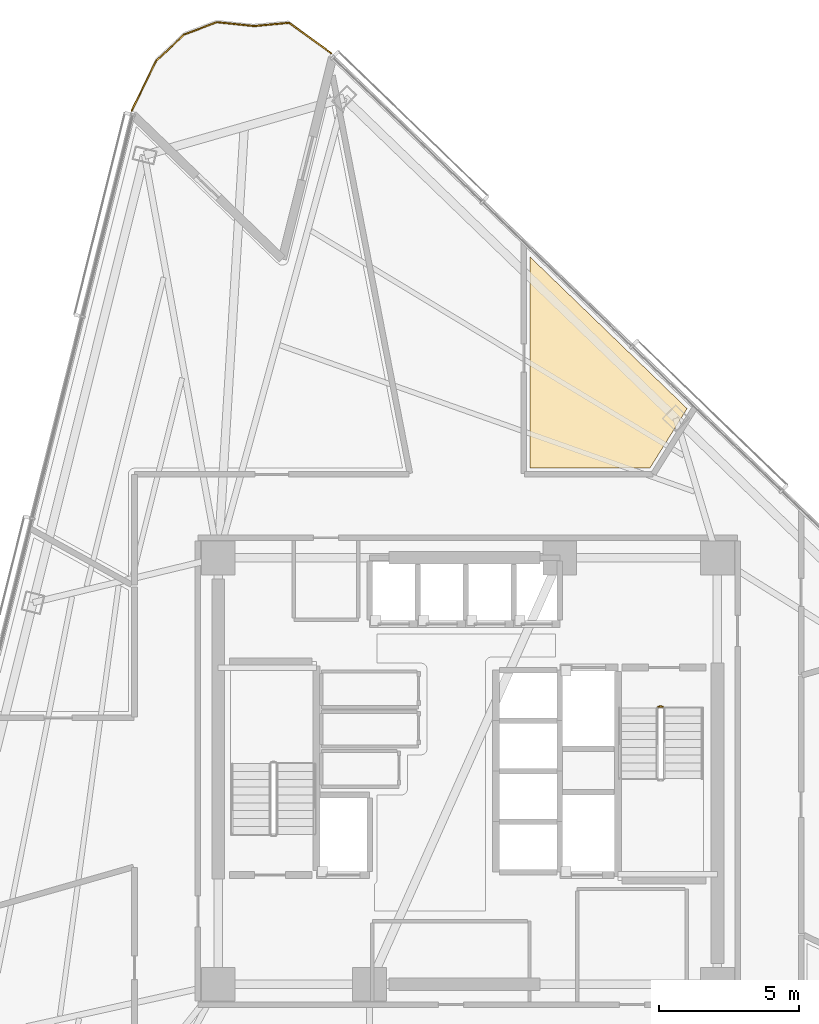
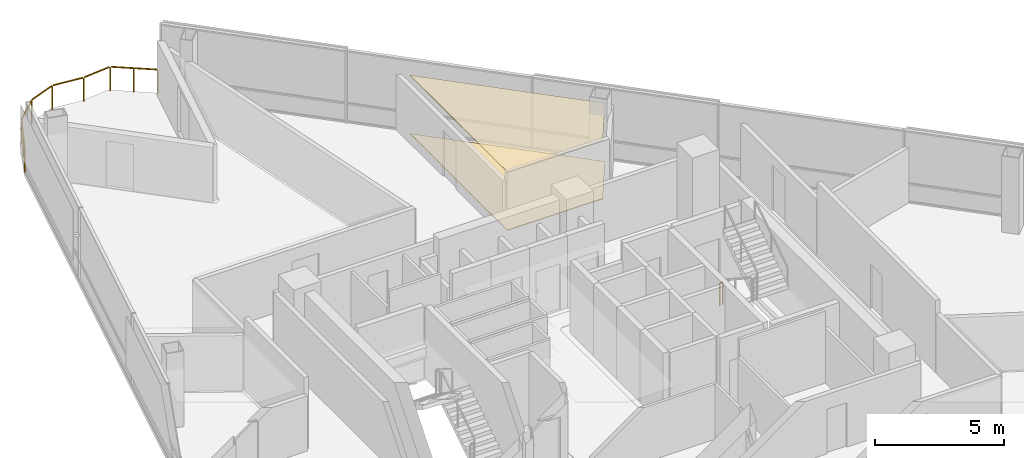
# One storey, part 17 of 17: 2 coverings, 2 railings.
"""IFC4 building model written with IfcOpenShell, lengths in metres."""

import ifcopenshell
import ifcopenshell.guid

model = None  # the IFC model being written
_history = None  # IfcOwnerHistory: only IFC2X3 demands one
_inside = {}  # id of a spatial element -> (the spatial element, [elements in it])
_under = {}  # id of a project, library or spatial element -> (it, [spatial elements below it])
_declared = {}  # id of a project -> (the project, [libraries it declares])
_typed = {}  # id of a type object -> (the type object, [elements of that type])
_made_of = {}  # id of a material, layer set ... -> (it, [elements and type objects made of it])


def new_model(schema):
    """Start an empty IFC model of exactly this schema.

    Asked for "IFC4X3", IfcOpenShell would pick the latest addendum, in which some entities
    have other attributes; the version numbers below select the first issue.
    IFC2X3 requires an IfcOwnerHistory on every rooted entity: one is made here for all.
    """
    global model, _history
    if schema == "IFC4X3":
        model = ifcopenshell.file(schema_version=(4, 3, 0, 0))
    else:
        model = ifcopenshell.file(schema=schema)
    _inside.clear()
    _under.clear()
    _declared.clear()
    _typed.clear()
    _made_of.clear()
    _history = None
    if model.schema == "IFC2X3":
        org = make("IfcOrganization", Name="unknown")
        user = make(
            "IfcPersonAndOrganization",
            ThePerson=make("IfcPerson", FamilyName="unknown"),
            TheOrganization=org,
        )
        app = make(
            "IfcApplication",
            ApplicationDeveloper=org,
            Version="unknown",
            ApplicationFullName="unknown",
            ApplicationIdentifier="unknown",
        )
        _history = make(
            "IfcOwnerHistory",
            OwningUser=user,
            OwningApplication=app,
            ChangeAction="ADDED",
            CreationDate=0,
        )
    return model


def make(cls, **values):
    """One entity of the class cls with the attributes given. An attribute that is None is left unset."""
    return model.create_entity(
        cls, **{name: value for name, value in values.items() if value is not None}
    )


def rooted(cls, **values):
    """An entity with a GlobalId (a new one), such as an element, a storey or a relation."""
    return make(cls, GlobalId=ifcopenshell.guid.new(), OwnerHistory=_history, **values)


def si_unit(unit_type, name, prefix=None):
    """IfcSIUnit, for example si_unit("LENGTHUNIT", "METRE", prefix="MILLI")."""
    return make("IfcSIUnit", UnitType=unit_type, Prefix=prefix, Name=name)


def assignment(units):
    """IfcUnitAssignment: the units of a project."""
    return None if units is None else make("IfcUnitAssignment", Units=units)


def point(xyz):
    """IfcCartesianPoint."""
    return None if xyz is None else make("IfcCartesianPoint", Coordinates=xyz)


def direction(xyz):
    """IfcDirection."""
    return None if xyz is None else make("IfcDirection", DirectionRatios=xyz)


def frame(location, z_axis=None, x_axis=None):
    """IfcAxis2Placement3D, a coordinate frame: its origin and axes. An axis left out is left unset."""
    return make(
        "IfcAxis2Placement3D",
        Location=point(location),
        Axis=direction(z_axis),
        RefDirection=direction(x_axis),
    )


def frame_2d(location, x_axis=None):
    """IfcAxis2Placement2D, a coordinate frame in the plane: its origin and x axis."""
    return make(
        "IfcAxis2Placement2D", Location=point(location), RefDirection=direction(x_axis)
    )


def origin():
    """The frame at (0, 0, 0) with its axes left unset."""
    return frame((0.0, 0.0, 0.0))


def origin_2d():
    """The frame at (0, 0) in the plane with its x axis left unset."""
    return frame_2d((0.0, 0.0))


def place(relative_to, where):
    """IfcLocalPlacement: puts the frame where relative to a parent placement (None: the world)."""
    return make(
        "IfcLocalPlacement", PlacementRelTo=relative_to, RelativePlacement=where
    )


def context(
    kind, dimensions, precision=None, world=None, true_north=None, identifier=None
):
    """IfcGeometricRepresentationContext, for example the 3D "Model" context."""
    return make(
        "IfcGeometricRepresentationContext",
        ContextIdentifier=identifier,
        ContextType=kind,
        CoordinateSpaceDimension=dimensions,
        Precision=precision,
        WorldCoordinateSystem=world,
        TrueNorth=true_north,
    )


def subcontext(parent, identifier, kind, view, scale=None):
    """IfcGeometricRepresentationSubContext, for example "Body" below "Model"."""
    return make(
        "IfcGeometricRepresentationSubContext",
        ContextIdentifier=identifier,
        ContextType=kind,
        ParentContext=parent,
        TargetScale=scale,
        TargetView=view,
    )


def project(units=None, contexts=None):
    """IfcProject with its units and contexts."""
    return rooted(
        "IfcProject",
        Name="project",
        RepresentationContexts=contexts,
        UnitsInContext=assignment(units),
    )


def spatial(cls, under=None, at=None, **own):
    """A site, building, storey or space (cls), placed at a placement, below another one or the project."""
    s = rooted(cls, ObjectPlacement=at, **own)
    if under is not None:
        _under.setdefault(under.id(), (under, []))[1].append(s)
    return s


def polyline(points):
    """IfcPolyline through the points."""
    return make("IfcPolyline", Points=[point(p) for p in points])


def profile(cls, at=None, kind="AREA", **sizes):
    """A parametric profile (cls). Its sizes go by their IFC names, for example OverallWidth=200.0."""
    return make(cls, ProfileType=kind, Position=at, **sizes)


def rectangle(**sizes):
    """IfcRectangleProfileDef."""
    return profile("IfcRectangleProfileDef", **sizes)


def outline(outer, holes=None, kind="AREA"):
    """IfcArbitraryClosedProfileDef: a profile drawn as a closed curve; with holes, ...WithVoids."""
    if holes is None:
        return make("IfcArbitraryClosedProfileDef", ProfileType=kind, OuterCurve=outer)
    return make(
        "IfcArbitraryProfileDefWithVoids",
        ProfileType=kind,
        OuterCurve=outer,
        InnerCurves=holes,
    )


def extrude(swept, where, along, depth):
    """IfcExtrudedAreaSolid: the profile swept, set in the frame where, extruded along a direction by depth."""
    return make(
        "IfcExtrudedAreaSolid",
        SweptArea=swept,
        Position=where,
        ExtrudedDirection=direction(along),
        Depth=depth,
    )


def shape(context_of_items, identifier, shape_type, items):
    """IfcShapeRepresentation: the items that make up one representation, for example the "Body"."""
    return make(
        "IfcShapeRepresentation",
        ContextOfItems=context_of_items,
        RepresentationIdentifier=identifier,
        RepresentationType=shape_type,
        Items=items,
    )


def material(Name=None, Category=None):
    """IfcMaterial."""
    return make("IfcMaterial", Name=Name, Category=Category)


def layer(
    of_material, thickness, ventilated=None, Name=None, Category=None, Priority=None
):
    """IfcMaterialLayer: one layer of a wall or slab, of a material (None: an air gap)."""
    return make(
        "IfcMaterialLayer",
        Material=of_material,
        LayerThickness=thickness,
        IsVentilated=ventilated,
        Name=Name,
        Category=Category,
        Priority=Priority,
    )


def layer_set(layers, Name=None):
    """IfcMaterialLayerSet."""
    return make("IfcMaterialLayerSet", MaterialLayers=layers, LayerSetName=Name)


def made_of(thing, what):
    """Note that an element or type object is made of a material, layer set ...; save() writes the relation."""
    if what is not None:
        _made_of.setdefault(what.id(), (what, []))[1].append(thing)
    return thing


def type_object(cls, material=None, **own):
    """A type object (cls), such as IfcWallType, which elements share."""
    return made_of(rooted(cls, **own), material)


def element(
    cls,
    number,
    at=None,
    inside=None,
    cuts=None,
    type_object=None,
    material=None,
    context=None,
    identifier="Body",
    shape_type=None,
    held_by="IfcProductDefinitionShape",
    body=None,
    shapes=None,
    **own,
):
    """One element of the class cls, such as IfcWall. Its Tag is "e" and its number.

    at: its placement. inside: the storey or other place that contains it. cuts: it is an
    opening in that element (IfcRelVoidsElement). A single representation is given by context,
    identifier, shape_type and body (its items); several are given by shapes. held_by: the class
    of the entity that holds the representations. save() writes the other relations.
    """
    e = rooted(cls, Tag="e%d" % number, ObjectPlacement=at, **own)
    if body is not None:
        shapes = [shape(context, identifier, shape_type, body)]
    if shapes is not None:
        e.Representation = make(held_by, Representations=shapes)
    if inside is not None:
        _inside.setdefault(inside.id(), (inside, []))[1].append(e)
    if cuts is not None:
        rooted(
            "IfcRelVoidsElement", RelatingBuildingElement=cuts, RelatedOpeningElement=e
        )
    if type_object is not None:
        _typed.setdefault(type_object.id(), (type_object, []))[1].append(e)
    return made_of(e, material)


def aggregate(whole, parts):
    """IfcRelAggregates: a whole, such as a stair, and the parts it consists of."""
    return rooted("IfcRelAggregates", RelatingObject=whole, RelatedObjects=parts)


def save(model, path):
    """Write the relations noted so far, then the file.

    IfcRelAggregates (storeys below a building ...), IfcRelContainedInSpatialStructure (elements
    in a storey), IfcRelDefinesByType, IfcRelAssociatesMaterial and IfcRelDeclares: one each for
    every whole, place, type object, material and project.
    """
    for whole, parts in _under.values():
        aggregate(whole, parts)
    for where, things in _inside.values():
        rooted(
            "IfcRelContainedInSpatialStructure",
            RelatedElements=things,
            RelatingStructure=where,
        )
    for kind, things in _typed.values():
        rooted("IfcRelDefinesByType", RelatedObjects=things, RelatingType=kind)
    for what, things in _made_of.values():
        rooted("IfcRelAssociatesMaterial", RelatedObjects=things, RelatingMaterial=what)
    for by, libraries in _declared.values():
        rooted("IfcRelDeclares", RelatingContext=by, RelatedDefinitions=libraries)
    model.write(path)


model = new_model("IFC4")

# Units and contexts
model_context = context("Model", 3, precision=1e-05, world=origin(), true_north=direction((0.0, 1.0)))
body_context = subcontext(model_context, "Body", "Model", "MODEL_VIEW")
ifc_project = project(units=[si_unit("LENGTHUNIT", "METRE"), si_unit("AREAUNIT", "SQUARE_METRE"), si_unit("VOLUMEUNIT", "CUBIC_METRE"), si_unit("PLANEANGLEUNIT", "RADIAN"), si_unit("MASSUNIT", "GRAM", prefix="KILO")], contexts=[model_context])

# Site, building, storey
site_placement = place(None, origin())
site = spatial("IfcSite", under=ifc_project, at=site_placement, CompositionType="ELEMENT")
building_placement = place(site_placement, origin())
building = spatial("IfcBuilding", under=site, at=building_placement, Name="Tharavind Bronze Gate", CompositionType="ELEMENT")
storey_placement = place(building_placement, frame((0.0, 0.0, 93.300048828125)))
storey = spatial("IfcBuildingStorey", under=building, at=storey_placement, Name="L23", CompositionType="ELEMENT", Elevation=93.300048828125)

# Coverings
ifc_material_1 = material(Name="Engineered Oak & Carpet Tile", Category="wood")
ifc_layer_1 = layer(ifc_material_1, 0.02490234375)
ifc_layer_set_1 = layer_set([ifc_layer_1], Name="Engineered Oak & Carpet Tile")
covering_type_1 = type_object("IfcCoveringType", Name="ENGINEERED TIMBER FLOORING", PredefinedType="FLOORING", material=ifc_layer_set_1)
covering_1_placement = place(storey_placement, origin())
element("IfcCovering", 1, at=covering_1_placement, inside=storey, type_object=covering_type_1, Name="L23-RM-02 floor finish", PredefinedType="FLOORING", context=body_context, shape_type="SweptSolid", body=[
    extrude(outline(polyline([(2.219970703125, 10.800048828125), (6.4892578125, 10.800048828125), (7.816650390625, 12.924560546875), (2.219970703125, 18.329345703125), (2.219970703125, 10.800048828125)])), origin(), (0.0, 0.0, 1.0), 0.02490234375),
])
ifc_material_2 = material(Name="Acoustic Gypsum Board", Category="gypsum")
ifc_layer_2 = layer(ifc_material_2, 0.030029296875)
ifc_layer_set_2 = layer_set([ifc_layer_2], Name="Acoustic Gypsum Board")
covering_type_2 = type_object("IfcCoveringType", Name="GYPSUM SUSPENDED CEILING", PredefinedType="CEILING", material=ifc_layer_set_2)
covering_2_placement = place(storey_placement, frame((0.0, 0.0, 2.75)))
element("IfcCovering", 2, at=covering_2_placement, inside=storey, type_object=covering_type_2, Name="L23-RM-02 suspended ceiling", PredefinedType="CEILING", context=body_context, shape_type="SweptSolid", body=[
    extrude(outline(polyline([(2.219970703125, 10.800048828125), (6.4892578125, 10.800048828125), (7.816650390625, 12.924560546875), (2.219970703125, 18.329345703125), (2.219970703125, 10.800048828125)])), origin(), (0.0, 0.0, 1.0), 0.034912109375),
])

# Railings
ifc_material_3 = material(Name="Brushed Bronze Alloy", Category="metal")
railing_type_1 = type_object("IfcRailingType", Name="STAIR WELL GUARD RAILING 1120", PredefinedType="GUARDRAIL", material=ifc_material_3)
railing_1_placement = place(storey_placement, frame((6.800048828125, 2.300048828125, 0.0)))
element("IfcRailing", 3, at=railing_1_placement, inside=storey, type_object=railing_type_1, Name="L23 ST2 stair guard 4", PredefinedType="GUARDRAIL", context=body_context, shape_type="SweptSolid", body=[
    extrude(rectangle(XDim=0.048095703125, YDim=0.048095703125, at=origin_2d()), frame((0.031982421875, 0.0, 1.09619140625), z_axis=(1.0, 0.0, 0.0), x_axis=(0.0, 1.0, 0.0)), (0.0, 0.0, 1.0), 0.0859375),
    extrude(rectangle(XDim=0.0400390625, YDim=0.0400390625, at=origin_2d()), origin(), (0.0, 0.0, 1.0), 1.068115234375),
    extrude(rectangle(XDim=0.0400390625, YDim=0.0400390625, at=origin_2d()), frame((0.14990234375, 0.0, 0.0)), (0.0, 0.0, 1.0), 1.068115234375),
])
ifc_material_4 = material(Name="Bronze Cap & Laminated Glass", Category="glass")
railing_type_2 = type_object("IfcRailingType", Name="TERRACE GLASS GUARD RAILING 1150", PredefinedType="GUARDRAIL", material=ifc_material_4)
railing_2_placement = place(storey_placement, frame((-11.977783203125, 23.548095703125, 0.0)))
element("IfcRailing", 4, at=railing_2_placement, inside=storey, type_object=railing_type_2, Name="L23 tree balcony guard railing", PredefinedType="GUARDRAIL", context=body_context, shape_type="SweptSolid", body=[
    extrude(rectangle(XDim=0.048095703125, YDim=0.048095703125, at=origin_2d()), frame((0.01416015625, 0.02880859375, 1.1259765625), z_axis=(0.441156065907, 0.897430401487, 0.0), x_axis=(-0.897430401487, 0.441156065907, 0.0)), (0.0, 0.0, 1.0), 1.90625),
    extrude(rectangle(XDim=0.048095703125, YDim=0.048095703125, at=origin_2d()), frame((0.892578125, 1.7900390625, 1.1259765625), z_axis=(0.730328135608, 0.683096489772, 0.0), x_axis=(-0.683096489772, 0.730328135608, 0.0)), (0.0, 0.0, 1.0), 1.3212890625),
    extrude(rectangle(XDim=0.048095703125, YDim=0.048095703125, at=origin_2d()), frame((1.910888671875, 2.7255859375, 1.1259765625), z_axis=(0.936134406694, 0.351642393071, 0.0), x_axis=(-0.351642393071, 0.936134406694, 0.0)), (0.0, 0.0, 1.0), 1.17333984375),
    extrude(rectangle(XDim=0.048095703125, YDim=0.048095703125, at=origin_2d()), frame((3.07080078125, 3.14599609375, 1.1259765625), z_axis=(0.994513494848, -0.104608358011, 0.0), x_axis=(0.104608358011, 0.994513494848, 0.0)), (0.0, 0.0, 1.0), 1.266357421875),
    extrude(rectangle(XDim=0.048095703125, YDim=0.048095703125, at=origin_2d()), frame((4.393798828125, 3.01318359375, 1.1259765625), z_axis=(0.995611027897, 0.093587825761, 0.0), x_axis=(-0.093587825761, 0.995611027897, 0.0)), (0.0, 0.0, 1.0), 1.190673828125),
    extrude(rectangle(XDim=0.048095703125, YDim=0.048095703125, at=origin_2d()), frame((5.63720703125, 3.10888671875, 1.1259765625), z_axis=(0.809873110724, -0.586605101006, 0.0), x_axis=(0.586605101006, 0.809873110724, 0.0)), (0.0, 0.0, 1.0), 1.79052734375),
    extrude(rectangle(XDim=0.0400390625, YDim=0.0400390625, at=origin_2d()), origin(), (0.0, 0.0, 1.0), 1.097900390625),
    extrude(rectangle(XDim=0.0400390625, YDim=0.0400390625, at=origin_2d()), frame((0.4345703125, 0.884033203125, 0.0)), (0.0, 0.0, 1.0), 1.097900390625),
    extrude(rectangle(XDim=0.0400390625, YDim=0.0400390625, at=origin_2d()), frame((0.869140625, 1.76806640625, 0.0)), (0.0, 0.0, 1.0), 1.097900390625),
    extrude(rectangle(XDim=0.0400390625, YDim=0.0400390625, at=origin_2d()), frame((1.880859375, 2.71435546875, 0.0)), (0.0, 0.0, 1.0), 1.097900390625),
    extrude(rectangle(XDim=0.0400390625, YDim=0.0400390625, at=origin_2d()), frame((3.0390625, 3.1494140625, 0.0)), (0.0, 0.0, 1.0), 1.097900390625),
    extrude(rectangle(XDim=0.0400390625, YDim=0.0400390625, at=origin_2d()), frame((4.362060546875, 3.01025390625, 0.0)), (0.0, 0.0, 1.0), 1.097900390625),
    extrude(rectangle(XDim=0.0400390625, YDim=0.0400390625, at=origin_2d()), frame((5.611328125, 3.127685546875, 0.0)), (0.0, 0.0, 1.0), 1.097900390625),
    extrude(rectangle(XDim=0.0400390625, YDim=0.0400390625, at=origin_2d()), frame((6.3623046875, 2.583740234375, 0.0)), (0.0, 0.0, 1.0), 1.097900390625),
    extrude(rectangle(XDim=0.0400390625, YDim=0.0400390625, at=origin_2d()), frame((7.11328125, 2.039794921875, 0.0)), (0.0, 0.0, 1.0), 1.097900390625),
])

save(model, "model.ifc")
